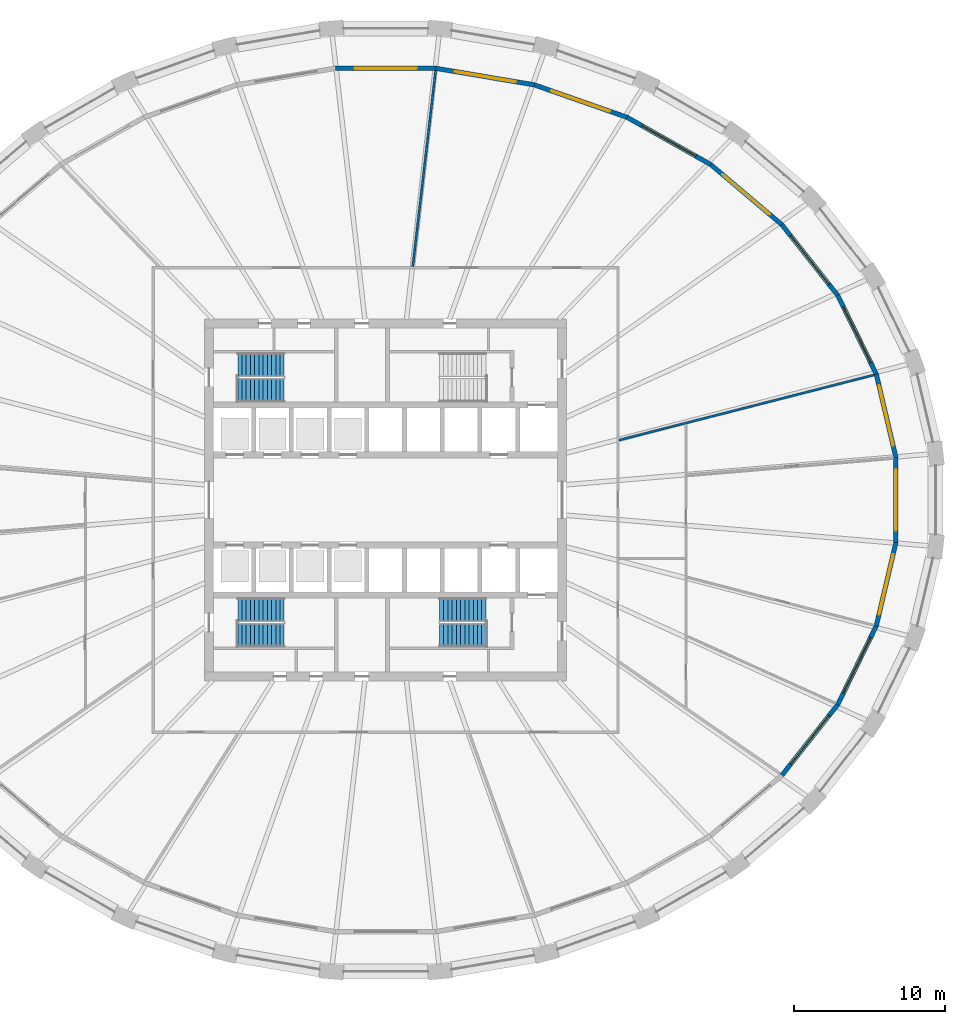
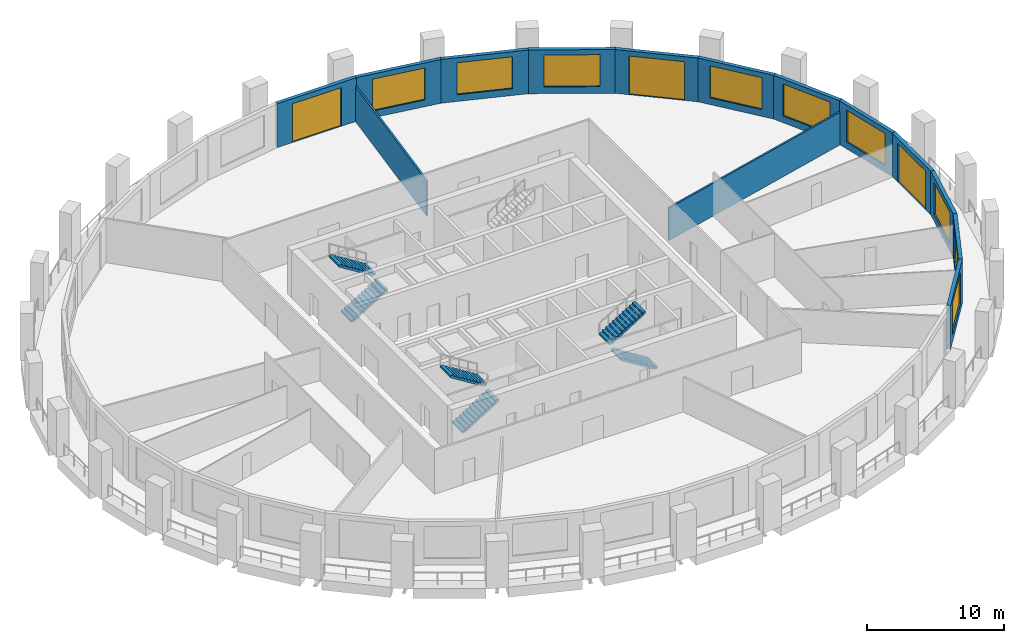
# One storey, part 7 of 11: 14 walls, 9 windows, 6 stair flights, 3 doors, 12 openings, 3 elements without a shape of their own.
"""IFC4 building model written with IfcOpenShell, lengths in metres."""

from ifc_helpers import new_model, si_unit, direction, frame, frame_2d, origin, place, context, subcontext, project, spatial, polyline, rectangle, outline, extrude, material, layer, layer_set, type_object, element, fill, aggregate, save


model = new_model("IFC4")

# Units and contexts
model_context = context("Model", 3, precision=1e-05, world=origin(), true_north=direction((0.0, 1.0)))
body_context = subcontext(model_context, "Body", "Model", "MODEL_VIEW")
ifc_project = project(units=[si_unit("LENGTHUNIT", "METRE"), si_unit("AREAUNIT", "SQUARE_METRE"), si_unit("VOLUMEUNIT", "CUBIC_METRE"), si_unit("PLANEANGLEUNIT", "RADIAN"), si_unit("MASSUNIT", "GRAM", prefix="KILO")], contexts=[model_context])

# Site, building, storey
site_placement = place(None, origin())
site = spatial("IfcSite", under=ifc_project, at=site_placement, CompositionType="ELEMENT")
building_placement = place(site_placement, origin())
building = spatial("IfcBuilding", under=site, at=building_placement, Name="Halqa Exchange Tower", CompositionType="ELEMENT")
storey_placement = place(building_placement, frame((0.0, 0.0, 78.10009765625)))
storey = spatial("IfcBuildingStorey", under=building, at=storey_placement, Name="L17", CompositionType="ELEMENT", Elevation=78.10009765625)

# Walls
ifc_material_1 = material(Name="Fire-rated gypsum board")
ifc_layer_1 = layer(ifc_material_1, 0.14990234375)
ifc_layer_set_1 = layer_set([ifc_layer_1], Name="Fire-rated gypsum board")
wall_type_1 = type_object("IfcWallType", Name="Fire partition EI 60 150", PredefinedType="PARTITIONING", material=ifc_layer_set_1)
wall_1_placement = place(storey_placement, frame((1.7978515625, 15.466552734375, 0.0), z_axis=(0.0, 0.0, 1.0), x_axis=(0.115980148961, 0.993251531611, 0.0)))
element("IfcWall", 1, at=wall_1_placement, inside=storey, type_object=wall_type_1, Name="L17-PWL-011", PredefinedType="PARTITIONING", context=body_context, shape_type="SweptSolid", body=[
    extrude(outline(polyline([(13.07861328125, -0.074951171875), (13.07861328125, 0.03369140625), (13.07373046875, 0.074951171875), (11.2060546875, 0.074951171875), (9.33837890625, 0.074951171875), (7.470703125, 0.074951171875), (5.60302734375, 0.074951171875), (3.7353515625, 0.074951171875), (1.86767578125, 0.074951171875), (0.0, 0.074951171875), (0.0, 0.07275390625), (0.017333984375, -0.074951171875), (1.883056640625, -0.074951171875), (3.7490234375, -0.074951171875), (5.614990234375, -0.074951171875), (7.48095703125, -0.074951171875), (9.3466796875, -0.074951171875), (11.212646484375, -0.074951171875), (13.07861328125, -0.074951171875)])), origin(), (0.0, 0.0, 1.0), 3.10986328125),
])
wall_2_placement = place(storey_placement, frame((15.456787109375, 3.964599609375, 0.0), z_axis=(0.0, 0.0, 1.0), x_axis=(0.968864500014, 0.24759156006, 0.0)))
element("IfcWall", 2, at=wall_2_placement, inside=storey, type_object=wall_type_1, Name="L17-PWL-018", PredefinedType="PARTITIONING", context=body_context, shape_type="SweptSolid", body=[
    extrude(outline(polyline([(0.0, -0.074951171875), (1.505126953125, -0.074951171875), (3.01025390625, -0.074951171875), (4.51513671875, -0.074951171875), (4.515380859375, -0.074951171875), (4.515625, -0.074951171875), (6.365234375, -0.074951171875), (8.21484375, -0.074951171875), (10.064453125, -0.074951171875), (11.9140625, -0.074951171875), (13.763916015625, -0.074951171875), (15.613525390625, -0.074951171875), (17.463134765625, -0.074951171875), (17.463134765625, 0.022705078125), (17.4521484375, 0.074951171875), (15.517333984375, 0.074951171875), (13.582275390625, 0.074951171875), (11.6474609375, 0.074951171875), (9.712646484375, 0.074951171875), (7.777587890625, 0.074951171875), (5.8427734375, 0.074951171875), (3.90771484375, 0.074951171875), (1.972900390625, 0.074951171875), (0.037841796875, 0.074951171875), (0.0, -0.073486328125), (0.0, -0.074951171875)])), origin(), (0.0, 0.0, 1.0), 2.909912109375),
])

# Wall, opening, window
ifc_material_2 = material(Name="Limestone cladding", Category="masonry")
ifc_layer_2 = layer(ifc_material_2, 0.0400390625)
ifc_material_3 = material(Name="Ventilated cavity")
ifc_layer_3 = layer(ifc_material_3, 0.030029296875, ventilated=True)
ifc_material_4 = material(Name="Mineral wool insulation")
ifc_layer_4 = layer(ifc_material_4, 0.10009765625)
ifc_material_5 = material(Name="Concrete C30/37", Category="concrete")
ifc_layer_5 = layer(ifc_material_5, 0.10009765625)
ifc_material_6 = material(Name="Internal plaster")
ifc_layer_6 = layer(ifc_material_6, 0.030029296875)
ifc_layer_set_2 = layer_set([ifc_layer_2, ifc_layer_3, ifc_layer_4, ifc_layer_5, ifc_layer_6], Name="Stone-faced insulated wall 300")
wall_type_2 = type_object("IfcWallType", Name="Stone-faced insulated wall 300", PredefinedType="STANDARD", material=ifc_layer_set_2)
wall_3_placement = place(storey_placement, frame((33.818603515625, 2.820556640625, 0.0), z_axis=(0.0, 0.0, 1.0), x_axis=(-0.229058489262, 0.97341266095, 0.0)))
wall_3 = element("IfcWall", 3, at=wall_3_placement, inside=storey, type_object=wall_type_2, Name="Glass-line wall 1", PredefinedType="STANDARD", context=body_context, shape_type="SweptSolid", body=[
    extrude(outline(polyline([(-0.017333984375, -0.14990234375), (5.699951171875, -0.14990234375), (5.666259765625, 0.14990234375), (0.017333984375, 0.14990234375), (-0.017333984375, -0.14990234375)])), origin(), (0.0, 0.0, 1.0), 3.89990234375),
])
opening_1_placement = place(wall_3_placement, frame((0.79150390625, 0.0, 0.60009765625)))
opening_1 = element("IfcOpeningElement", 4, at=opening_1_placement, cuts=wall_3, Name="Opening W-F1-01", PredefinedType="OPENING", context=body_context, shape_type="SweptSolid", body=[
    extrude(rectangle(XDim=4.10009765625, YDim=2.85009765625, at=frame_2d((2.050048828125, 1.425048828125))), frame((0.0, 0.162109375, 0.0), z_axis=(0.0, -1.0, 0.0), x_axis=(1.0, 0.0, 0.0)), (0.0, 0.0, 1.0), 0.323974609375),
])
ifc_material_7 = material(Name="Clear low-emissivity glass in aluminium frame", Category="aluminium")
window_type = type_object("IfcWindowType", Name="Fixed clear glazed window 4100 x 2850", PartitioningType="TRIPLE_PANEL_VERTICAL", PredefinedType="WINDOW", material=ifc_material_7)
window_1_placement = place(opening_1_placement, origin())
window_1 = element("IfcWindow", 5, at=window_1_placement, inside=storey, type_object=window_type, Name="Window 1", OverallHeight=2.85009765625, OverallWidth=4.10009765625, PartitioningType="TRIPLE_PANEL_VERTICAL", PredefinedType="WINDOW", context=body_context, shape_type="SweptSolid", body=[
    extrude(rectangle(XDim=4.10009765625, YDim=2.85009765625, at=frame_2d((2.050048828125, 1.425048828125))), frame((0.0, 0.030029296875, 0.0), z_axis=(0.0, -1.0, 0.0), x_axis=(1.0, 0.0, 0.0)), (0.0, 0.0, 1.0), 0.06005859375),
])
fill(opening_1, window_1)

wall_4_placement = place(storey_placement, frame((32.516845703125, 8.3525390625, 0.0), z_axis=(0.0, 0.0, 1.0), x_axis=(-0.440027465772, 0.897984314655, 0.0)))
wall_4 = element("IfcWall", 6, at=wall_4_placement, inside=storey, type_object=wall_type_2, Name="Glass-line wall 2", PredefinedType="STANDARD", context=body_context, shape_type="SweptSolid", body=[
    extrude(outline(polyline([(-0.016845703125, -0.14990234375), (5.81689453125, -0.14990234375), (5.78466796875, 0.14990234375), (0.016845703125, 0.14990234375), (-0.016845703125, -0.14990234375)])), origin(), (0.0, 0.0, 1.0), 3.89990234375),
])
opening_2_placement = place(wall_4_placement, frame((0.850341796875, 0.0, 0.60009765625)))
opening_2 = element("IfcOpeningElement", 7, at=opening_2_placement, cuts=wall_4, Name="Opening W-F1-02", PredefinedType="OPENING", context=body_context, shape_type="SweptSolid", body=[
    extrude(rectangle(XDim=4.10009765625, YDim=2.85009765625, at=frame_2d((2.050048828125, 1.425048828125))), frame((0.0, 0.162109375, 0.0), z_axis=(0.0, -1.0, 0.0), x_axis=(1.0, 0.0, 0.0)), (0.0, 0.0, 1.0), 0.323974609375),
])
window_2_placement = place(opening_2_placement, origin())
window_2 = element("IfcWindow", 8, at=window_2_placement, inside=storey, type_object=window_type, Name="Window 1", OverallHeight=2.85009765625, OverallWidth=4.10009765625, PartitioningType="TRIPLE_PANEL_VERTICAL", PredefinedType="WINDOW", context=body_context, shape_type="SweptSolid", body=[
    extrude(rectangle(XDim=4.10009765625, YDim=2.85009765625, at=frame_2d((2.050048828125, 1.425048828125))), frame((0.0, 0.030029296875, 0.0), z_axis=(0.0, -1.0, 0.0), x_axis=(1.0, 0.0, 0.0)), (0.0, 0.0, 1.0), 0.06005859375),
])
fill(opening_2, window_2)

wall_5_placement = place(storey_placement, frame((29.96435546875, 13.5615234375, 0.0), z_axis=(0.0, 0.0, 1.0), x_axis=(-0.620093447965, 0.784527957303, 0.0)))
wall_5 = element("IfcWall", 9, at=wall_5_placement, inside=storey, type_object=wall_type_2, Name="Glass-line wall 3", PredefinedType="STANDARD", context=body_context, shape_type="SweptSolid", body=[
    extrude(outline(polyline([(-0.01611328125, -0.14990234375), (5.98828125, -0.14990234375), (5.9580078125, 0.14990234375), (0.01611328125, 0.14990234375), (-0.01611328125, -0.14990234375)])), origin(), (0.0, 0.0, 1.0), 3.89990234375),
])
opening_3_placement = place(wall_5_placement, frame((0.9365234375, 0.0, 0.60009765625)))
opening_3 = element("IfcOpeningElement", 10, at=opening_3_placement, cuts=wall_5, Name="Opening W-F1-03", PredefinedType="OPENING", context=body_context, shape_type="SweptSolid", body=[
    extrude(rectangle(XDim=4.10009765625, YDim=2.85009765625, at=frame_2d((2.050048828125, 1.425048828125))), frame((0.0, 0.162109375, 0.0), z_axis=(0.0, -1.0, 0.0), x_axis=(1.0, 0.0, 0.0)), (0.0, 0.0, 1.0), 0.323974609375),
])
window_3_placement = place(opening_3_placement, origin())
window_3 = element("IfcWindow", 11, at=window_3_placement, inside=storey, type_object=window_type, Name="Window 1", OverallHeight=2.85009765625, OverallWidth=4.10009765625, PartitioningType="TRIPLE_PANEL_VERTICAL", PredefinedType="WINDOW", context=body_context, shape_type="SweptSolid", body=[
    extrude(rectangle(XDim=4.10009765625, YDim=2.85009765625, at=frame_2d((2.050048828125, 1.425048828125))), frame((0.0, 0.030029296875, 0.0), z_axis=(0.0, -1.0, 0.0), x_axis=(1.0, 0.0, 0.0)), (0.0, 0.0, 1.0), 0.06005859375),
])
fill(opening_3, window_3)

# Wall, opening, door
wall_6_placement = place(storey_placement, frame((26.260498046875, 18.24755859375, 0.0), z_axis=(0.0, 0.0, 1.0), x_axis=(-0.763693886759, 0.645578536916, 0.0)))
wall_6 = element("IfcWall", 12, at=wall_6_placement, inside=storey, type_object=wall_type_2, Name="Glass-line wall 4", PredefinedType="STANDARD", context=body_context, shape_type="SweptSolid", body=[
    extrude(outline(polyline([(-0.01513671875, -0.14990234375), (6.18408203125, -0.14990234375), (6.15576171875, 0.14990234375), (0.01513671875, 0.14990234375), (-0.01513671875, -0.14990234375)])), origin(), (0.0, 0.0, 1.0), 3.89990234375),
])
opening_4_placement = place(wall_6_placement, frame((1.034912109375, 0.0, 0.0)))
opening_4 = element("IfcOpeningElement", 13, at=opening_4_placement, cuts=wall_6, Name="Opening LG-F1-01", PredefinedType="OPENING", context=body_context, shape_type="SweptSolid", body=[
    extrude(rectangle(XDim=4.10009765625, YDim=3.449951171875, at=frame_2d((2.050048828125, 1.72509765625))), frame((0.0, 0.162109375, 0.0), z_axis=(0.0, -1.0, 0.0), x_axis=(1.0, 0.0, 0.0)), (0.0, 0.0, 1.0), 0.323974609375),
])
door_type = type_object("IfcDoorType", Name="Glazed sliding loggia door 4100 x 3450", OperationType="DOUBLE_DOOR_SLIDING", PredefinedType="DOOR", material=ifc_material_7)
door_1_placement = place(opening_4_placement, origin())
door_1 = element("IfcDoor", 14, at=door_1_placement, inside=storey, type_object=door_type, Name="Loggia door 1", OperationType="DOUBLE_DOOR_SLIDING", OverallHeight=3.449951171875, OverallWidth=4.10009765625, PredefinedType="DOOR", context=body_context, shape_type="SweptSolid", body=[
    extrude(rectangle(XDim=4.10009765625, YDim=3.449951171875, at=frame_2d((2.050048828125, 1.72509765625))), frame((0.0, 0.02490234375, 0.0), z_axis=(0.0, -1.0, 0.0), x_axis=(1.0, 0.0, 0.0)), (0.0, 0.0, 1.0), 0.050048828125),
])
fill(opening_4, door_1)

# Wall, opening, window
wall_7_placement = place(storey_placement, frame((21.548583984375, 22.230712890625, 0.0), z_axis=(0.0, 0.0, 1.0), x_axis=(-0.870710061474, 0.491796694629, 0.0)))
wall_7 = element("IfcWall", 15, at=wall_7_placement, inside=storey, type_object=wall_type_2, Name="Glass-line wall 5", PredefinedType="STANDARD", context=body_context, shape_type="SweptSolid", body=[
    extrude(outline(polyline([(-0.01416015625, -0.14990234375), (6.3740234375, -0.14990234375), (6.34716796875, 0.14990234375), (0.01416015625, 0.14990234375), (-0.01416015625, -0.14990234375)])), origin(), (0.0, 0.0, 1.0), 3.89990234375),
])
opening_5_placement = place(wall_7_placement, frame((1.13037109375, 0.0, 0.60009765625)))
opening_5 = element("IfcOpeningElement", 16, at=opening_5_placement, cuts=wall_7, Name="Opening W-F1-05", PredefinedType="OPENING", context=body_context, shape_type="SweptSolid", body=[
    extrude(rectangle(XDim=4.10009765625, YDim=2.85009765625, at=frame_2d((2.050048828125, 1.425048828125))), frame((0.0, 0.162109375, 0.0), z_axis=(0.0, -1.0, 0.0), x_axis=(1.0, 0.0, 0.0)), (0.0, 0.0, 1.0), 0.323974609375),
])
window_4_placement = place(opening_5_placement, origin())
window_4 = element("IfcWindow", 17, at=window_4_placement, inside=storey, type_object=window_type, Name="Window 1", OverallHeight=2.85009765625, OverallWidth=4.10009765625, PartitioningType="TRIPLE_PANEL_VERTICAL", PredefinedType="WINDOW", context=body_context, shape_type="SweptSolid", body=[
    extrude(rectangle(XDim=4.10009765625, YDim=2.85009765625, at=frame_2d((2.050048828125, 1.425048828125))), frame((0.0, 0.030029296875, 0.0), z_axis=(0.0, -1.0, 0.0), x_axis=(1.0, 0.0, 0.0)), (0.0, 0.0, 1.0), 0.06005859375),
])
fill(opening_5, window_4)

wall_8_placement = place(storey_placement, frame((16.01025390625, 25.35888671875, 0.0), z_axis=(0.0, 0.0, 1.0), x_axis=(-0.943815136299, 0.330473884736, 0.0)))
wall_8 = element("IfcWall", 18, at=wall_8_placement, inside=storey, type_object=wall_type_2, Name="Glass-line wall 6", PredefinedType="STANDARD", context=body_context, shape_type="SweptSolid", body=[
    extrude(outline(polyline([(-0.013427734375, -0.14990234375), (6.53076171875, -0.14990234375), (6.50537109375, 0.14990234375), (0.013427734375, 0.14990234375), (-0.013427734375, -0.14990234375)])), origin(), (0.0, 0.0, 1.0), 3.89990234375),
])
opening_6_placement = place(wall_8_placement, frame((1.208984375, 0.0, 0.60009765625)))
opening_6 = element("IfcOpeningElement", 19, at=opening_6_placement, cuts=wall_8, Name="Opening W-F1-06", PredefinedType="OPENING", context=body_context, shape_type="SweptSolid", body=[
    extrude(rectangle(XDim=4.10009765625, YDim=2.85009765625, at=frame_2d((2.050048828125, 1.425048828125))), frame((0.0, 0.162109375, 0.0), z_axis=(0.0, -1.0, 0.0), x_axis=(1.0, 0.0, 0.0)), (0.0, 0.0, 1.0), 0.323974609375),
])
window_5_placement = place(opening_6_placement, origin())
window_5 = element("IfcWindow", 20, at=window_5_placement, inside=storey, type_object=window_type, Name="Window 1", OverallHeight=2.85009765625, OverallWidth=4.10009765625, PartitioningType="TRIPLE_PANEL_VERTICAL", PredefinedType="WINDOW", context=body_context, shape_type="SweptSolid", body=[
    extrude(rectangle(XDim=4.10009765625, YDim=2.85009765625, at=frame_2d((2.050048828125, 1.425048828125))), frame((0.0, 0.030029296875, 0.0), z_axis=(0.0, -1.0, 0.0), x_axis=(1.0, 0.0, 0.0)), (0.0, 0.0, 1.0), 0.06005859375),
])
fill(opening_6, window_5)

wall_9_placement = place(storey_placement, frame((9.8583984375, 27.512939453125, 0.0), z_axis=(0.0, 0.0, 1.0), x_axis=(-0.986157735925, 0.165809890767, 0.0)))
wall_9 = element("IfcWall", 21, at=wall_9_placement, inside=storey, type_object=wall_type_2, Name="Glass-line wall 7", PredefinedType="STANDARD", context=body_context, shape_type="SweptSolid", body=[
    extrude(outline(polyline([(-0.0126953125, -0.14990234375), (6.6337890625, -0.14990234375), (6.60888671875, 0.14990234375), (0.0126953125, 0.14990234375), (-0.0126953125, -0.14990234375)])), origin(), (0.0, 0.0, 1.0), 3.89990234375),
])
opening_7_placement = place(wall_9_placement, frame((1.2607421875, 0.0, 0.60009765625)))
opening_7 = element("IfcOpeningElement", 22, at=opening_7_placement, cuts=wall_9, Name="Opening W-F1-07", PredefinedType="OPENING", context=body_context, shape_type="SweptSolid", body=[
    extrude(rectangle(XDim=4.10009765625, YDim=2.85009765625, at=frame_2d((2.050048828125, 1.425048828125))), frame((0.0, 0.162109375, 0.0), z_axis=(0.0, -1.0, 0.0), x_axis=(1.0, 0.0, 0.0)), (0.0, 0.0, 1.0), 0.323974609375),
])
window_6_placement = place(opening_7_placement, origin())
window_6 = element("IfcWindow", 23, at=window_6_placement, inside=storey, type_object=window_type, Name="Window 1", OverallHeight=2.85009765625, OverallWidth=4.10009765625, PartitioningType="TRIPLE_PANEL_VERTICAL", PredefinedType="WINDOW", context=body_context, shape_type="SweptSolid", body=[
    extrude(rectangle(XDim=4.10009765625, YDim=2.85009765625, at=frame_2d((2.050048828125, 1.425048828125))), frame((0.0, 0.030029296875, 0.0), z_axis=(0.0, -1.0, 0.0), x_axis=(1.0, 0.0, 0.0)), (0.0, 0.0, 1.0), 0.06005859375),
])
fill(opening_7, window_6)

# Wall, opening, door
wall_10_placement = place(storey_placement, frame((3.32861328125, 28.61083984375, 0.0), z_axis=(0.0, 0.0, 1.0), x_axis=(-1.0, 0.0, 0.0)))
wall_10 = element("IfcWall", 24, at=wall_10_placement, inside=storey, type_object=wall_type_2, Name="Glass-line wall 8", PredefinedType="STANDARD", context=body_context, shape_type="SweptSolid", body=[
    extrude(outline(polyline([(-0.012451171875, -0.14990234375), (6.669677734375, -0.14990234375), (6.644775390625, 0.14990234375), (0.012451171875, 0.14990234375), (-0.012451171875, -0.14990234375)])), origin(), (0.0, 0.0, 1.0), 3.89990234375),
])
opening_8_placement = place(wall_10_placement, frame((1.278564453125, 0.0, 0.0)))
opening_8 = element("IfcOpeningElement", 25, at=opening_8_placement, cuts=wall_10, Name="Opening LG-F1-02", PredefinedType="OPENING", context=body_context, shape_type="SweptSolid", body=[
    extrude(rectangle(XDim=4.10009765625, YDim=3.449951171875, at=frame_2d((2.050048828125, 1.72509765625))), frame((0.0, 0.162109375, 0.0), z_axis=(0.0, -1.0, 0.0), x_axis=(1.0, 0.0, 0.0)), (0.0, 0.0, 1.0), 0.323974609375),
])
door_2_placement = place(opening_8_placement, origin())
door_2 = element("IfcDoor", 26, at=door_2_placement, inside=storey, type_object=door_type, Name="Loggia door 2", OperationType="DOUBLE_DOOR_SLIDING", OverallHeight=3.449951171875, OverallWidth=4.10009765625, PredefinedType="DOOR", context=body_context, shape_type="SweptSolid", body=[
    extrude(rectangle(XDim=4.10009765625, YDim=3.449951171875, at=frame_2d((2.050048828125, 1.72509765625))), frame((0.0, 0.02490234375, 0.0), z_axis=(0.0, -1.0, 0.0), x_axis=(1.0, 0.0, 0.0)), (0.0, 0.0, 1.0), 0.050048828125),
])
fill(opening_8, door_2)

# Wall, opening, window
wall_11_placement = place(storey_placement, frame((26.260498046875, -18.24755859375, 0.0), z_axis=(0.0, 0.0, 1.0), x_axis=(0.620093447965, 0.784527957303, 0.0)))
wall_11 = element("IfcWall", 27, at=wall_11_placement, inside=storey, type_object=wall_type_2, Name="Glass-line wall 29", PredefinedType="STANDARD", context=body_context, shape_type="SweptSolid", body=[
    extrude(outline(polyline([(-0.01513671875, -0.14990234375), (5.9892578125, -0.14990234375), (5.95703125, 0.14990234375), (0.01513671875, 0.14990234375), (-0.01513671875, -0.14990234375)])), origin(), (0.0, 0.0, 1.0), 3.89990234375),
])
opening_9_placement = place(wall_11_placement, frame((0.9365234375, 0.0, 0.60009765625)))
opening_9 = element("IfcOpeningElement", 28, at=opening_9_placement, cuts=wall_11, Name="Opening W-F1-29", PredefinedType="OPENING", context=body_context, shape_type="SweptSolid", body=[
    extrude(rectangle(XDim=4.10009765625, YDim=2.85009765625, at=frame_2d((2.050048828125, 1.425048828125))), frame((0.0, 0.162109375, 0.0), z_axis=(0.0, -1.0, 0.0), x_axis=(1.0, 0.0, 0.0)), (0.0, 0.0, 1.0), 0.323974609375),
])
window_7_placement = place(opening_9_placement, origin())
window_7 = element("IfcWindow", 29, at=window_7_placement, inside=storey, type_object=window_type, Name="Window 1", OverallHeight=2.85009765625, OverallWidth=4.10009765625, PartitioningType="TRIPLE_PANEL_VERTICAL", PredefinedType="WINDOW", context=body_context, shape_type="SweptSolid", body=[
    extrude(rectangle(XDim=4.10009765625, YDim=2.85009765625, at=frame_2d((2.050048828125, 1.425048828125))), frame((0.0, 0.030029296875, 0.0), z_axis=(0.0, -1.0, 0.0), x_axis=(1.0, 0.0, 0.0)), (0.0, 0.0, 1.0), 0.06005859375),
])
fill(opening_9, window_7)

wall_12_placement = place(storey_placement, frame((29.96435546875, -13.5615234375, 0.0), z_axis=(0.0, 0.0, 1.0), x_axis=(0.440027465772, 0.897984314655, 0.0)))
wall_12 = element("IfcWall", 30, at=wall_12_placement, inside=storey, type_object=wall_type_2, Name="Glass-line wall 30", PredefinedType="STANDARD", context=body_context, shape_type="SweptSolid", body=[
    extrude(outline(polyline([(-0.01611328125, -0.14990234375), (5.817626953125, -0.14990234375), (5.783935546875, 0.14990234375), (0.01611328125, 0.14990234375), (-0.01611328125, -0.14990234375)])), origin(), (0.0, 0.0, 1.0), 3.89990234375),
])
opening_10_placement = place(wall_12_placement, frame((0.850341796875, 0.0, 0.60009765625)))
opening_10 = element("IfcOpeningElement", 31, at=opening_10_placement, cuts=wall_12, Name="Opening W-F1-30", PredefinedType="OPENING", context=body_context, shape_type="SweptSolid", body=[
    extrude(rectangle(XDim=4.10009765625, YDim=2.85009765625, at=frame_2d((2.050048828125, 1.425048828125))), frame((0.0, 0.162109375, 0.0), z_axis=(0.0, -1.0, 0.0), x_axis=(1.0, 0.0, 0.0)), (0.0, 0.0, 1.0), 0.323974609375),
])
window_8_placement = place(opening_10_placement, origin())
window_8 = element("IfcWindow", 32, at=window_8_placement, inside=storey, type_object=window_type, Name="Window 1", OverallHeight=2.85009765625, OverallWidth=4.10009765625, PartitioningType="TRIPLE_PANEL_VERTICAL", PredefinedType="WINDOW", context=body_context, shape_type="SweptSolid", body=[
    extrude(rectangle(XDim=4.10009765625, YDim=2.85009765625, at=frame_2d((2.050048828125, 1.425048828125))), frame((0.0, 0.030029296875, 0.0), z_axis=(0.0, -1.0, 0.0), x_axis=(1.0, 0.0, 0.0)), (0.0, 0.0, 1.0), 0.06005859375),
])
fill(opening_10, window_8)

wall_13_placement = place(storey_placement, frame((32.516845703125, -8.3525390625, 0.0), z_axis=(0.0, 0.0, 1.0), x_axis=(0.229058489262, 0.97341266095, 0.0)))
wall_13 = element("IfcWall", 33, at=wall_13_placement, inside=storey, type_object=wall_type_2, Name="Glass-line wall 31", PredefinedType="STANDARD", context=body_context, shape_type="SweptSolid", body=[
    extrude(outline(polyline([(-0.016845703125, -0.14990234375), (5.700439453125, -0.14990234375), (5.665771484375, 0.14990234375), (0.016845703125, 0.14990234375), (-0.016845703125, -0.14990234375)])), origin(), (0.0, 0.0, 1.0), 3.89990234375),
])
opening_11_placement = place(wall_13_placement, frame((0.79150390625, 0.0, 0.60009765625)))
opening_11 = element("IfcOpeningElement", 34, at=opening_11_placement, cuts=wall_13, Name="Opening W-F1-31", PredefinedType="OPENING", context=body_context, shape_type="SweptSolid", body=[
    extrude(rectangle(XDim=4.10009765625, YDim=2.85009765625, at=frame_2d((2.050048828125, 1.425048828125))), frame((0.0, 0.162109375, 0.0), z_axis=(0.0, -1.0, 0.0), x_axis=(1.0, 0.0, 0.0)), (0.0, 0.0, 1.0), 0.323974609375),
])
window_9_placement = place(opening_11_placement, origin())
window_9 = element("IfcWindow", 35, at=window_9_placement, inside=storey, type_object=window_type, Name="Window 1", OverallHeight=2.85009765625, OverallWidth=4.10009765625, PartitioningType="TRIPLE_PANEL_VERTICAL", PredefinedType="WINDOW", context=body_context, shape_type="SweptSolid", body=[
    extrude(rectangle(XDim=4.10009765625, YDim=2.85009765625, at=frame_2d((2.050048828125, 1.425048828125))), frame((0.0, 0.030029296875, 0.0), z_axis=(0.0, -1.0, 0.0), x_axis=(1.0, 0.0, 0.0)), (0.0, 0.0, 1.0), 0.06005859375),
])
fill(opening_11, window_9)

# Wall, opening, door
wall_14_placement = place(storey_placement, frame((33.818603515625, -2.820556640625, 0.0), z_axis=(0.0, 0.0, 1.0), x_axis=(0.0, 1.0, 0.0)))
wall_14 = element("IfcWall", 36, at=wall_14_placement, inside=storey, type_object=wall_type_2, Name="Glass-line wall 32", PredefinedType="STANDARD", context=body_context, shape_type="SweptSolid", body=[
    extrude(outline(polyline([(-0.017333984375, -0.14990234375), (5.658447265625, -0.14990234375), (5.623779296875, 0.14990234375), (0.017333984375, 0.14990234375), (-0.017333984375, -0.14990234375)])), origin(), (0.0, 0.0, 1.0), 3.89990234375),
])
opening_12_placement = place(wall_14_placement, frame((0.7705078125, 0.0, 0.0)))
opening_12 = element("IfcOpeningElement", 37, at=opening_12_placement, cuts=wall_14, Name="Opening LG-F1-08", PredefinedType="OPENING", context=body_context, shape_type="SweptSolid", body=[
    extrude(rectangle(XDim=4.10009765625, YDim=3.449951171875, at=frame_2d((2.050048828125, 1.72509765625))), frame((0.0, 0.162109375, 0.0), z_axis=(0.0, -1.0, 0.0), x_axis=(1.0, 0.0, 0.0)), (0.0, 0.0, 1.0), 0.323974609375),
])
door_3_placement = place(opening_12_placement, origin())
door_3 = element("IfcDoor", 38, at=door_3_placement, inside=storey, type_object=door_type, Name="Loggia door 8", OperationType="DOUBLE_DOOR_SLIDING", OverallHeight=3.449951171875, OverallWidth=4.10009765625, PredefinedType="DOOR", context=body_context, shape_type="SweptSolid", body=[
    extrude(rectangle(XDim=4.10009765625, YDim=3.449951171875, at=frame_2d((2.050048828125, 1.72509765625))), frame((0.0, 0.02490234375, 0.0), z_axis=(0.0, -1.0, 0.0), x_axis=(1.0, 0.0, 0.0)), (0.0, 0.0, 1.0), 0.050048828125),
])
fill(opening_12, door_3)

# Stair, stair flights
stair_type = type_object("IfcStairType", Name="Exit stair 1500 wide", PredefinedType="HALF_TURN_STAIR", material=ifc_material_5)
stair_1_placement = place(storey_placement, origin())
stair_1 = element("IfcStair", 39, at=stair_1_placement, inside=storey, type_object=stair_type, Name="Exit stair ST1", PredefinedType="HALF_TURN_STAIR")
stair_flight_type = type_object("IfcStairFlightType", Name="Stair flight 1500 wide", PredefinedType="STRAIGHT", material=ifc_material_5)
stair_flight_1_placement = place(storey_placement, frame((-9.800048828125, 7.25, 0.0), z_axis=(0.0, 0.0, 1.0), x_axis=(1.0, 0.0, 0.0)))
stair_flight_1 = element("IfcStairFlight", 40, at=stair_flight_1_placement, type_object=stair_flight_type, Name="ST1 flight 1", NumberOfRisers=12, NumberOfTreads=11, PredefinedType="STRAIGHT", RiserHeight=0.175, TreadLength=0.28, context=body_context, shape_type="SweptSolid", body=[
    extrude(outline(polyline([(0.0, 0.0), (0.0, 0.175048828125), (0.280029296875, 0.175048828125), (0.280029296875, 0.35009765625), (0.56005859375, 0.35009765625), (0.56005859375, 0.52490234375), (0.840087890625, 0.52490234375), (0.840087890625, 0.699951171875), (1.1201171875, 0.699951171875), (1.1201171875, 0.875), (1.39990234375, 0.875), (1.39990234375, 1.050048828125), (1.679931640625, 1.050048828125), (1.679931640625, 1.22509765625), (1.9599609375, 1.22509765625), (1.9599609375, 1.39990234375), (2.239990234375, 1.39990234375), (2.239990234375, 1.574951171875), (2.52001953125, 1.574951171875), (2.52001953125, 1.75), (2.800048828125, 1.75), (2.800048828125, 1.925048828125), (3.080078125, 1.925048828125), (3.080078125, 2.10009765625), (3.080078125, 1.748291015625), (0.28271484375, 0.0), (0.0, 0.0)])), frame((0.0, 0.75, 0.0), z_axis=(0.0, -1.0, 0.0), x_axis=(1.0, 0.0, 0.0)), (0.0, 0.0, 1.0), 1.5),
])
stair_flight_2_placement = place(storey_placement, frame((-6.719970703125, 9.0, 2.099853515625), z_axis=(0.0, 0.0, 1.0), x_axis=(-1.0, 0.0, 0.0)))
stair_flight_2 = element("IfcStairFlight", 41, at=stair_flight_2_placement, type_object=stair_flight_type, Name="ST1 flight 2", NumberOfRisers=12, NumberOfTreads=11, PredefinedType="STRAIGHT", RiserHeight=0.175, TreadLength=0.28, context=body_context, shape_type="SweptSolid", body=[
    extrude(outline(polyline([(0.0, 0.0), (0.0, 0.175048828125), (0.280029296875, 0.175048828125), (0.280029296875, 0.35009765625), (0.56005859375, 0.35009765625), (0.56005859375, 0.52490234375), (0.840087890625, 0.52490234375), (0.840087890625, 0.699951171875), (1.1201171875, 0.699951171875), (1.1201171875, 0.875), (1.39990234375, 0.875), (1.39990234375, 1.050048828125), (1.679931640625, 1.050048828125), (1.679931640625, 1.22509765625), (1.9599609375, 1.22509765625), (1.9599609375, 1.39990234375), (2.239990234375, 1.39990234375), (2.239990234375, 1.574951171875), (2.52001953125, 1.574951171875), (2.52001953125, 1.75), (2.800048828125, 1.75), (2.800048828125, 1.925048828125), (3.080078125, 1.925048828125), (3.080078125, 2.10009765625), (3.080078125, 1.748291015625), (0.28271484375, 0.0), (0.0, 0.0)])), frame((0.0, 0.75, 0.0), z_axis=(0.0, -1.0, 0.0), x_axis=(1.0, 0.0, 0.0)), (0.0, 0.0, 1.0), 1.5),
])
aggregate(stair_1, [stair_flight_1, stair_flight_2])

stair_2_placement = place(storey_placement, origin())
stair_2 = element("IfcStair", 42, at=stair_2_placement, inside=storey, type_object=stair_type, Name="Exit stair ST3", PredefinedType="HALF_TURN_STAIR")
stair_flight_3_placement = place(storey_placement, frame((-9.800048828125, -9.0, 0.0), z_axis=(0.0, 0.0, 1.0), x_axis=(1.0, 0.0, 0.0)))
stair_flight_3 = element("IfcStairFlight", 43, at=stair_flight_3_placement, type_object=stair_flight_type, Name="ST3 flight 1", NumberOfRisers=12, NumberOfTreads=11, PredefinedType="STRAIGHT", RiserHeight=0.175, TreadLength=0.28, context=body_context, shape_type="SweptSolid", body=[
    extrude(outline(polyline([(0.0, 0.0), (0.0, 0.175048828125), (0.280029296875, 0.175048828125), (0.280029296875, 0.35009765625), (0.56005859375, 0.35009765625), (0.56005859375, 0.52490234375), (0.840087890625, 0.52490234375), (0.840087890625, 0.699951171875), (1.1201171875, 0.699951171875), (1.1201171875, 0.875), (1.39990234375, 0.875), (1.39990234375, 1.050048828125), (1.679931640625, 1.050048828125), (1.679931640625, 1.22509765625), (1.9599609375, 1.22509765625), (1.9599609375, 1.39990234375), (2.239990234375, 1.39990234375), (2.239990234375, 1.574951171875), (2.52001953125, 1.574951171875), (2.52001953125, 1.75), (2.800048828125, 1.75), (2.800048828125, 1.925048828125), (3.080078125, 1.925048828125), (3.080078125, 2.10009765625), (3.080078125, 1.748291015625), (0.28271484375, 0.0), (0.0, 0.0)])), frame((0.0, 0.75, 0.0), z_axis=(0.0, -1.0, 0.0), x_axis=(1.0, 0.0, 0.0)), (0.0, 0.0, 1.0), 1.5),
])
stair_flight_4_placement = place(storey_placement, frame((-6.719970703125, -7.25, 2.099853515625), z_axis=(0.0, 0.0, 1.0), x_axis=(-1.0, 0.0, 0.0)))
stair_flight_4 = element("IfcStairFlight", 44, at=stair_flight_4_placement, type_object=stair_flight_type, Name="ST3 flight 2", NumberOfRisers=12, NumberOfTreads=11, PredefinedType="STRAIGHT", RiserHeight=0.175, TreadLength=0.28, context=body_context, shape_type="SweptSolid", body=[
    extrude(outline(polyline([(0.0, 0.0), (0.0, 0.175048828125), (0.280029296875, 0.175048828125), (0.280029296875, 0.35009765625), (0.56005859375, 0.35009765625), (0.56005859375, 0.52490234375), (0.840087890625, 0.52490234375), (0.840087890625, 0.699951171875), (1.1201171875, 0.699951171875), (1.1201171875, 0.875), (1.39990234375, 0.875), (1.39990234375, 1.050048828125), (1.679931640625, 1.050048828125), (1.679931640625, 1.22509765625), (1.9599609375, 1.22509765625), (1.9599609375, 1.39990234375), (2.239990234375, 1.39990234375), (2.239990234375, 1.574951171875), (2.52001953125, 1.574951171875), (2.52001953125, 1.75), (2.800048828125, 1.75), (2.800048828125, 1.925048828125), (3.080078125, 1.925048828125), (3.080078125, 2.10009765625), (3.080078125, 1.748291015625), (0.28271484375, 0.0), (0.0, 0.0)])), frame((0.0, 0.75, 0.0), z_axis=(0.0, -1.0, 0.0), x_axis=(1.0, 0.0, 0.0)), (0.0, 0.0, 1.0), 1.5),
])
aggregate(stair_2, [stair_flight_3, stair_flight_4])

stair_3_placement = place(storey_placement, origin())
stair_3 = element("IfcStair", 45, at=stair_3_placement, inside=storey, type_object=stair_type, Name="Exit stair ST4", PredefinedType="HALF_TURN_STAIR")
stair_flight_5_placement = place(storey_placement, frame((6.64990234375, -9.0, 0.0), z_axis=(0.0, 0.0, 1.0), x_axis=(-1.0, 0.0, 0.0)))
stair_flight_5 = element("IfcStairFlight", 46, at=stair_flight_5_placement, type_object=stair_flight_type, Name="ST4 flight 1", NumberOfRisers=12, NumberOfTreads=11, PredefinedType="STRAIGHT", RiserHeight=0.175, TreadLength=0.28, context=body_context, shape_type="SweptSolid", body=[
    extrude(outline(polyline([(0.0, 0.0), (0.0, 0.175048828125), (0.280029296875, 0.175048828125), (0.280029296875, 0.35009765625), (0.56005859375, 0.35009765625), (0.56005859375, 0.52490234375), (0.840087890625, 0.52490234375), (0.840087890625, 0.699951171875), (1.1201171875, 0.699951171875), (1.1201171875, 0.875), (1.39990234375, 0.875), (1.39990234375, 1.050048828125), (1.679931640625, 1.050048828125), (1.679931640625, 1.22509765625), (1.9599609375, 1.22509765625), (1.9599609375, 1.39990234375), (2.239990234375, 1.39990234375), (2.239990234375, 1.574951171875), (2.52001953125, 1.574951171875), (2.52001953125, 1.75), (2.800048828125, 1.75), (2.800048828125, 1.925048828125), (3.080078125, 1.925048828125), (3.080078125, 2.10009765625), (3.080078125, 1.748291015625), (0.28271484375, 0.0), (0.0, 0.0)])), frame((0.0, 0.75, 0.0), z_axis=(0.0, -1.0, 0.0), x_axis=(1.0, 0.0, 0.0)), (0.0, 0.0, 1.0), 1.5),
])
stair_flight_6_placement = place(storey_placement, frame((3.570068359375, -7.25, 2.099853515625), z_axis=(0.0, 0.0, 1.0), x_axis=(1.0, 0.0, 0.0)))
stair_flight_6 = element("IfcStairFlight", 47, at=stair_flight_6_placement, type_object=stair_flight_type, Name="ST4 flight 2", NumberOfRisers=12, NumberOfTreads=11, PredefinedType="STRAIGHT", RiserHeight=0.175, TreadLength=0.28, context=body_context, shape_type="SweptSolid", body=[
    extrude(outline(polyline([(0.0, 0.0), (0.0, 0.175048828125), (0.280029296875, 0.175048828125), (0.280029296875, 0.35009765625), (0.56005859375, 0.35009765625), (0.56005859375, 0.52490234375), (0.840087890625, 0.52490234375), (0.840087890625, 0.699951171875), (1.1201171875, 0.699951171875), (1.1201171875, 0.875), (1.39990234375, 0.875), (1.39990234375, 1.050048828125), (1.679931640625, 1.050048828125), (1.679931640625, 1.22509765625), (1.9599609375, 1.22509765625), (1.9599609375, 1.39990234375), (2.239990234375, 1.39990234375), (2.239990234375, 1.574951171875), (2.52001953125, 1.574951171875), (2.52001953125, 1.75), (2.800048828125, 1.75), (2.800048828125, 1.925048828125), (3.080078125, 1.925048828125), (3.080078125, 2.10009765625), (3.080078125, 1.748291015625), (0.28271484375, 0.0), (0.0, 0.0)])), frame((0.0, 0.75, 0.0), z_axis=(0.0, -1.0, 0.0), x_axis=(1.0, 0.0, 0.0)), (0.0, 0.0, 1.0), 1.5),
])
aggregate(stair_3, [stair_flight_5, stair_flight_6])

save(model, "model.ifc")
